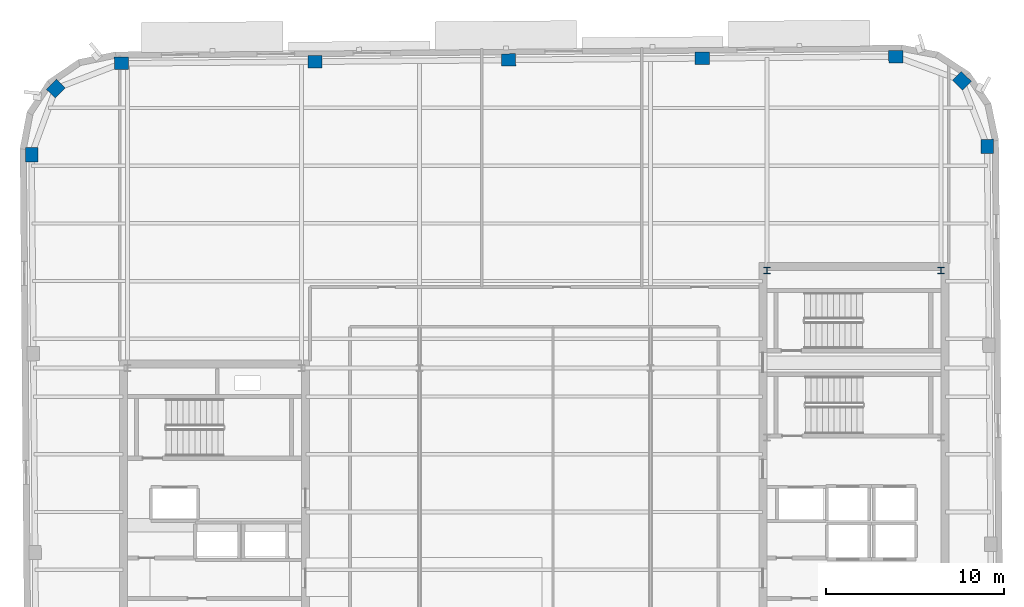
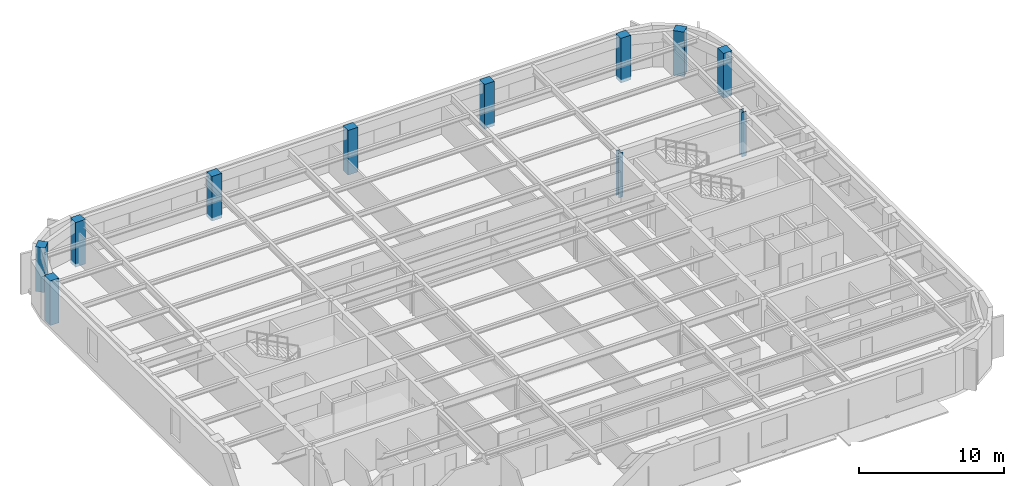
# One storey, part 3 of 15: 11 columns.
"""IFC4 building model written with IfcOpenShell, lengths in metres."""

import ifcopenshell
import ifcopenshell.guid

model = None  # the IFC model being written
_history = None  # IfcOwnerHistory: only IFC2X3 demands one
_inside = {}  # id of a spatial element -> (the spatial element, [elements in it])
_under = {}  # id of a project, library or spatial element -> (it, [spatial elements below it])
_declared = {}  # id of a project -> (the project, [libraries it declares])
_typed = {}  # id of a type object -> (the type object, [elements of that type])
_made_of = {}  # id of a material, layer set ... -> (it, [elements and type objects made of it])


def new_model(schema):
    """Start an empty IFC model of exactly this schema.

    Asked for "IFC4X3", IfcOpenShell would pick the latest addendum, in which some entities
    have other attributes; the version numbers below select the first issue.
    IFC2X3 requires an IfcOwnerHistory on every rooted entity: one is made here for all.
    """
    global model, _history
    if schema == "IFC4X3":
        model = ifcopenshell.file(schema_version=(4, 3, 0, 0))
    else:
        model = ifcopenshell.file(schema=schema)
    _inside.clear()
    _under.clear()
    _declared.clear()
    _typed.clear()
    _made_of.clear()
    _history = None
    if model.schema == "IFC2X3":
        org = make("IfcOrganization", Name="unknown")
        user = make(
            "IfcPersonAndOrganization",
            ThePerson=make("IfcPerson", FamilyName="unknown"),
            TheOrganization=org,
        )
        app = make(
            "IfcApplication",
            ApplicationDeveloper=org,
            Version="unknown",
            ApplicationFullName="unknown",
            ApplicationIdentifier="unknown",
        )
        _history = make(
            "IfcOwnerHistory",
            OwningUser=user,
            OwningApplication=app,
            ChangeAction="ADDED",
            CreationDate=0,
        )
    return model


def make(cls, **values):
    """One entity of the class cls with the attributes given. An attribute that is None is left unset."""
    return model.create_entity(
        cls, **{name: value for name, value in values.items() if value is not None}
    )


def rooted(cls, **values):
    """An entity with a GlobalId (a new one), such as an element, a storey or a relation."""
    return make(cls, GlobalId=ifcopenshell.guid.new(), OwnerHistory=_history, **values)


def si_unit(unit_type, name, prefix=None):
    """IfcSIUnit, for example si_unit("LENGTHUNIT", "METRE", prefix="MILLI")."""
    return make("IfcSIUnit", UnitType=unit_type, Prefix=prefix, Name=name)


def assignment(units):
    """IfcUnitAssignment: the units of a project."""
    return None if units is None else make("IfcUnitAssignment", Units=units)


def point(xyz):
    """IfcCartesianPoint."""
    return None if xyz is None else make("IfcCartesianPoint", Coordinates=xyz)


def direction(xyz):
    """IfcDirection."""
    return None if xyz is None else make("IfcDirection", DirectionRatios=xyz)


def frame(location, z_axis=None, x_axis=None):
    """IfcAxis2Placement3D, a coordinate frame: its origin and axes. An axis left out is left unset."""
    return make(
        "IfcAxis2Placement3D",
        Location=point(location),
        Axis=direction(z_axis),
        RefDirection=direction(x_axis),
    )


def frame_2d(location, x_axis=None):
    """IfcAxis2Placement2D, a coordinate frame in the plane: its origin and x axis."""
    return make(
        "IfcAxis2Placement2D", Location=point(location), RefDirection=direction(x_axis)
    )


def origin():
    """The frame at (0, 0, 0) with its axes left unset."""
    return frame((0.0, 0.0, 0.0))


def origin_2d():
    """The frame at (0, 0) in the plane with its x axis left unset."""
    return frame_2d((0.0, 0.0))


def place(relative_to, where):
    """IfcLocalPlacement: puts the frame where relative to a parent placement (None: the world)."""
    return make(
        "IfcLocalPlacement", PlacementRelTo=relative_to, RelativePlacement=where
    )


def context(
    kind, dimensions, precision=None, world=None, true_north=None, identifier=None
):
    """IfcGeometricRepresentationContext, for example the 3D "Model" context."""
    return make(
        "IfcGeometricRepresentationContext",
        ContextIdentifier=identifier,
        ContextType=kind,
        CoordinateSpaceDimension=dimensions,
        Precision=precision,
        WorldCoordinateSystem=world,
        TrueNorth=true_north,
    )


def subcontext(parent, identifier, kind, view, scale=None):
    """IfcGeometricRepresentationSubContext, for example "Body" below "Model"."""
    return make(
        "IfcGeometricRepresentationSubContext",
        ContextIdentifier=identifier,
        ContextType=kind,
        ParentContext=parent,
        TargetScale=scale,
        TargetView=view,
    )


def project(units=None, contexts=None):
    """IfcProject with its units and contexts."""
    return rooted(
        "IfcProject",
        Name="project",
        RepresentationContexts=contexts,
        UnitsInContext=assignment(units),
    )


def spatial(cls, under=None, at=None, **own):
    """A site, building, storey or space (cls), placed at a placement, below another one or the project."""
    s = rooted(cls, ObjectPlacement=at, **own)
    if under is not None:
        _under.setdefault(under.id(), (under, []))[1].append(s)
    return s


def profile(cls, at=None, kind="AREA", **sizes):
    """A parametric profile (cls). Its sizes go by their IFC names, for example OverallWidth=200.0."""
    return make(cls, ProfileType=kind, Position=at, **sizes)


def rectangle(**sizes):
    """IfcRectangleProfileDef."""
    return profile("IfcRectangleProfileDef", **sizes)


def i_section(**sizes):
    """IfcIShapeProfileDef."""
    return profile("IfcIShapeProfileDef", **sizes)


def extrude(swept, where, along, depth):
    """IfcExtrudedAreaSolid: the profile swept, set in the frame where, extruded along a direction by depth."""
    return make(
        "IfcExtrudedAreaSolid",
        SweptArea=swept,
        Position=where,
        ExtrudedDirection=direction(along),
        Depth=depth,
    )


def shape(context_of_items, identifier, shape_type, items):
    """IfcShapeRepresentation: the items that make up one representation, for example the "Body"."""
    return make(
        "IfcShapeRepresentation",
        ContextOfItems=context_of_items,
        RepresentationIdentifier=identifier,
        RepresentationType=shape_type,
        Items=items,
    )


def material(Name=None, Category=None):
    """IfcMaterial."""
    return make("IfcMaterial", Name=Name, Category=Category)


def material_profile(
    of_material, cross_section, Name=None, Category=None, Priority=None
):
    """IfcMaterialProfile: a cross section and its material."""
    return make(
        "IfcMaterialProfile",
        Name=Name,
        Material=of_material,
        Profile=cross_section,
        Priority=Priority,
        Category=Category,
    )


def profile_set(profiles, Name=None, composite=None):
    """IfcMaterialProfileSet."""
    return make(
        "IfcMaterialProfileSet",
        Name=Name,
        MaterialProfiles=profiles,
        CompositeProfile=composite,
    )


def made_of(thing, what):
    """Note that an element or type object is made of a material, layer set ...; save() writes the relation."""
    if what is not None:
        _made_of.setdefault(what.id(), (what, []))[1].append(thing)
    return thing


def type_object(cls, material=None, **own):
    """A type object (cls), such as IfcWallType, which elements share."""
    return made_of(rooted(cls, **own), material)


def element(
    cls,
    number,
    at=None,
    inside=None,
    cuts=None,
    type_object=None,
    material=None,
    context=None,
    identifier="Body",
    shape_type=None,
    held_by="IfcProductDefinitionShape",
    body=None,
    shapes=None,
    **own,
):
    """One element of the class cls, such as IfcWall. Its Tag is "e" and its number.

    at: its placement. inside: the storey or other place that contains it. cuts: it is an
    opening in that element (IfcRelVoidsElement). A single representation is given by context,
    identifier, shape_type and body (its items); several are given by shapes. held_by: the class
    of the entity that holds the representations. save() writes the other relations.
    """
    e = rooted(cls, Tag="e%d" % number, ObjectPlacement=at, **own)
    if body is not None:
        shapes = [shape(context, identifier, shape_type, body)]
    if shapes is not None:
        e.Representation = make(held_by, Representations=shapes)
    if inside is not None:
        _inside.setdefault(inside.id(), (inside, []))[1].append(e)
    if cuts is not None:
        rooted(
            "IfcRelVoidsElement", RelatingBuildingElement=cuts, RelatedOpeningElement=e
        )
    if type_object is not None:
        _typed.setdefault(type_object.id(), (type_object, []))[1].append(e)
    return made_of(e, material)


def aggregate(whole, parts):
    """IfcRelAggregates: a whole, such as a stair, and the parts it consists of."""
    return rooted("IfcRelAggregates", RelatingObject=whole, RelatedObjects=parts)


def save(model, path):
    """Write the relations noted so far, then the file.

    IfcRelAggregates (storeys below a building ...), IfcRelContainedInSpatialStructure (elements
    in a storey), IfcRelDefinesByType, IfcRelAssociatesMaterial and IfcRelDeclares: one each for
    every whole, place, type object, material and project.
    """
    for whole, parts in _under.values():
        aggregate(whole, parts)
    for where, things in _inside.values():
        rooted(
            "IfcRelContainedInSpatialStructure",
            RelatedElements=things,
            RelatingStructure=where,
        )
    for kind, things in _typed.values():
        rooted("IfcRelDefinesByType", RelatedObjects=things, RelatingType=kind)
    for what, things in _made_of.values():
        rooted("IfcRelAssociatesMaterial", RelatedObjects=things, RelatingMaterial=what)
    for by, libraries in _declared.values():
        rooted("IfcRelDeclares", RelatingContext=by, RelatedDefinitions=libraries)
    model.write(path)


model = new_model("IFC4")

# Units and contexts
model_context = context("Model", 3, precision=1e-05, world=origin(), true_north=direction((0.0, 1.0)))
body_context = subcontext(model_context, "Body", "Model", "MODEL_VIEW")
ifc_project = project(units=[si_unit("LENGTHUNIT", "METRE"), si_unit("AREAUNIT", "SQUARE_METRE"), si_unit("VOLUMEUNIT", "CUBIC_METRE"), si_unit("PLANEANGLEUNIT", "RADIAN"), si_unit("MASSUNIT", "GRAM", prefix="KILO")], contexts=[model_context])

# Site, building, storey
site_placement = place(None, origin())
site = spatial("IfcSite", under=ifc_project, at=site_placement, CompositionType="ELEMENT")
building_placement = place(site_placement, origin())
building = spatial("IfcBuilding", under=site, at=building_placement, Name="Kolvaren Arena Tower", CompositionType="ELEMENT")
storey_placement = place(building_placement, frame((0.0, 0.0, 293.64990234375)))
storey = spatial("IfcBuildingStorey", under=building, at=storey_placement, Name="L72", CompositionType="ELEMENT", Elevation=293.64990234375)

# Columns
ifc_material_1 = material(Name="Precast concrete C50/60", Category="concrete")
ifc_material_profile_1 = material_profile(ifc_material_1, rectangle(XDim=0.800048828125, YDim=0.699951171875, at=origin_2d()), Name="RC-800x700")
ifc_profile_set_1 = profile_set([ifc_material_profile_1], Name="Precast concrete C50/60")
column_type_1 = type_object("IfcColumnType", Name="EXCOL-Z5", PredefinedType="COLUMN", material=ifc_profile_set_1)
for number, where, z_axis, x_axis, name in (
    (1, (62.952392578125, 46.333984375, -0.27001953125), (0.0, 0.0, 1.0), (-0.008726535498, 0.999961923064, 0.0), "Exoskeleton Perimeter Column 10 (L72)"),
    (2, (61.52880859375, 50.030517578125, -0.27001953125), (0.0, 0.0, 1.0), (-0.713250449154, 0.7009092643, 0.0), "Exoskeleton Perimeter Column 11 (L72)"),
    (3, (57.80810546875, 51.389404296875, -0.27001953125), (0.0, 0.0, 1.0), (0.999961923064, 0.008726535498, 0.0), "Exoskeleton Perimeter Column 12 (L72)"),
    (4, (46.908447265625, 51.294189453125, -0.27001953125), (0.0, 0.0, 1.0), (0.999961923064, 0.008726535498, 0.0), "Exoskeleton Perimeter Column 13 (L72)"),
    (5, (36.0087890625, 51.19921875, -0.27001953125), (0.0, 0.0, 1.0), (0.999961923064, 0.008726535498, 0.0), "Exoskeleton Perimeter Column 14 (L72)"),
    (6, (25.109375, 51.10400390625, -0.27001953125), (0.0, 0.0, 1.0), (0.999961923064, 0.008726535498, 0.0), "Exoskeleton Perimeter Column 15 (L72)"),
    (7, (14.209716796875, 51.0087890625, -0.27001953125), (0.0, 0.0, 1.0), (0.999961923064, 0.008726535498, 0.0), "Exoskeleton Perimeter Column 16 (L72)"),
    (8, (10.51318359375, 49.58544921875, -0.27001953125), (0.0, 0.0, 1.0), (0.7009092643, 0.713250449154, 0.0), "Exoskeleton Perimeter Column 17 (L72)"),
    (9, (9.154296875, 45.864501953125, -0.27001953125), (0.0, 0.0, 1.0), (-0.008726535498, 0.999961923064, 0.0), "Exoskeleton Perimeter Column 18 (L72)"),
):
    element("IfcColumn", number, at=place(storey_placement, frame(where, z_axis=z_axis, x_axis=x_axis)), inside=storey, type_object=column_type_1, Name=name, PredefinedType="COLUMN", context=body_context, shape_type="SweptSolid", body=[
        extrude(rectangle(XDim=0.800048828125, YDim=0.699951171875, at=origin_2d()), origin(), (0.0, 0.0, 1.0), 3.75),
    ])
ifc_material_2 = material(Name="Steel ASTM A913 Grade 65", Category="steel")
ifc_material_profile_2 = material_profile(ifc_material_2, i_section(OverallWidth=0.3740234375, OverallDepth=0.3720703125, WebThickness=0.016357421875, FlangeThickness=0.026123046875, FilletRadius=0.02001953125, at=origin_2d()), Name="W360x196")
ifc_profile_set_2 = profile_set([ifc_material_profile_2], Name="Steel ASTM A913 Grade 65")
column_type_2 = type_object("IfcColumnType", Name="SCOL-Z5", PredefinedType="COLUMN", material=ifc_profile_set_2)
for number, where, z_axis, x_axis, name in (
    (10, (50.550048828125, 39.35009765625, -0.27001953125), (0.0, 0.0, 1.0), (1.0, 0.0, 0.0), "Core Boundary Column EC-NW (L72)"),
    (11, (60.35009765625, 39.35009765625, -0.27001953125), (0.0, 0.0, 1.0), (1.0, 0.0, 0.0), "Core Boundary Column EC-NE (L72)"),
):
    element("IfcColumn", number, at=place(storey_placement, frame(where, z_axis=z_axis, x_axis=x_axis)), inside=storey, type_object=column_type_2, Name=name, PredefinedType="COLUMN", context=body_context, shape_type="SweptSolid", body=[
        extrude(i_section(OverallWidth=0.3740234375, OverallDepth=0.3720703125, WebThickness=0.016357421875, FlangeThickness=0.026123046875, FilletRadius=0.02001953125, at=origin_2d()), origin(), (0.0, 0.0, 1.0), 3.75),
    ])

save(model, "model.ifc")
